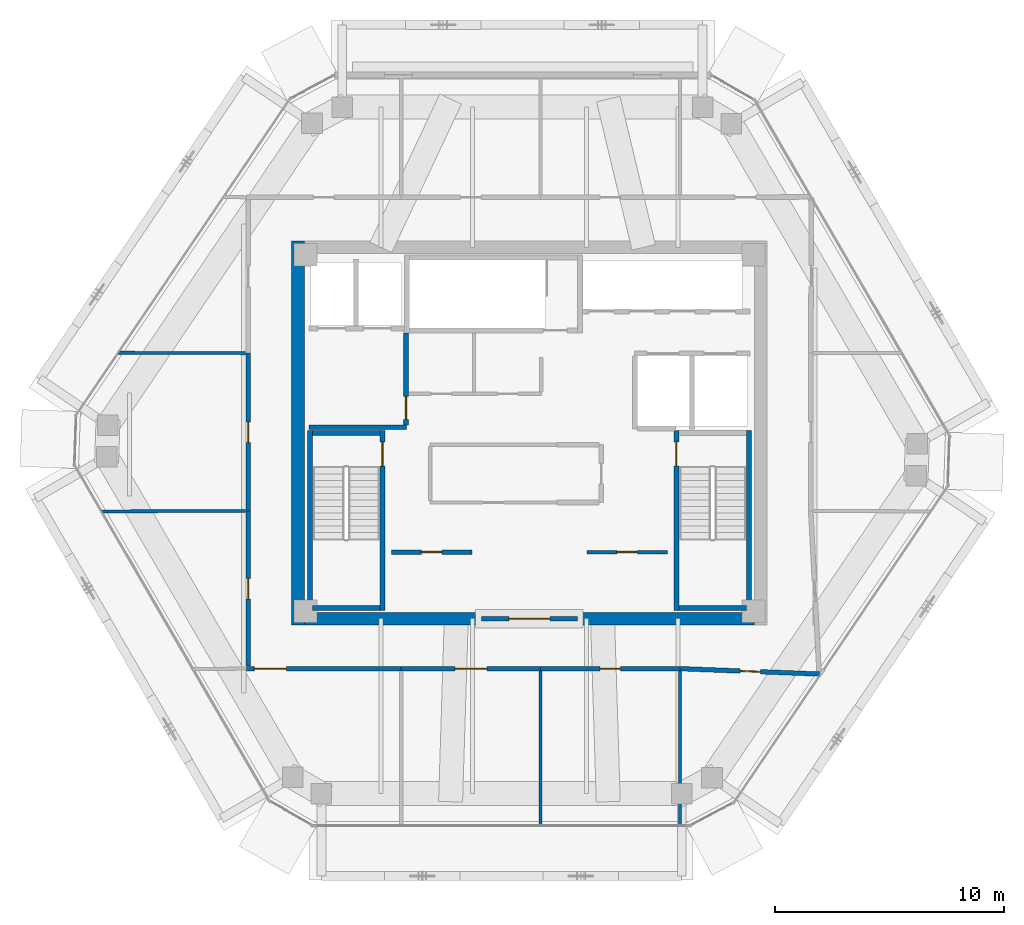
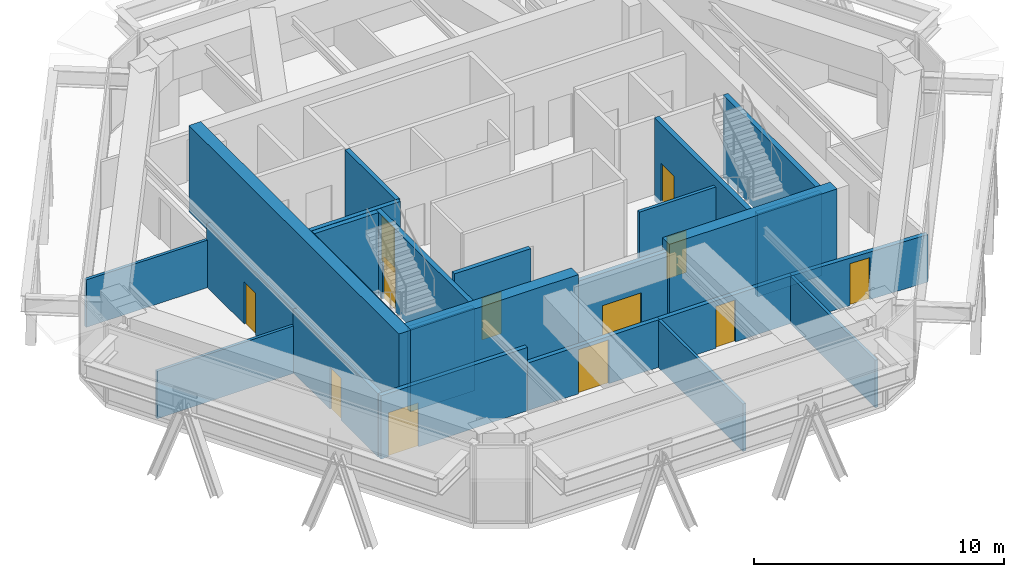
# One storey, part 10 of 13: 25 walls, 12 doors, 12 openings.
"""IFC4 building model written with IfcOpenShell, lengths in metres."""

from ifc_helpers import new_model, si_unit, direction, frame, frame_2d, origin, place, context, subcontext, project, spatial, rectangle, extrude, source, transform, mapped, material, layer, layer_set, type_object, type_shapes, element, fill, save


model = new_model("IFC4")

# Units and contexts
model_context = context("Model", 3, precision=1e-05, world=origin(), true_north=direction((0.0, 1.0)))
body_context = subcontext(model_context, "Body", "Model", "MODEL_VIEW")
ifc_project = project(units=[si_unit("LENGTHUNIT", "METRE"), si_unit("AREAUNIT", "SQUARE_METRE"), si_unit("VOLUMEUNIT", "CUBIC_METRE"), si_unit("PLANEANGLEUNIT", "RADIAN"), si_unit("MASSUNIT", "GRAM", prefix="KILO")], contexts=[model_context])

# Site, building, storey
site_placement = place(None, origin())
site = spatial("IfcSite", under=ifc_project, at=site_placement, CompositionType="ELEMENT")
building_placement = place(site_placement, origin())
building = spatial("IfcBuilding", under=site, at=building_placement, Name="Durnholm Broadcast Tower", CompositionType="ELEMENT")
storey_placement = place(building_placement, frame((0.0, 0.0, 268.300048828125)))
storey = spatial("IfcBuildingStorey", under=building, at=storey_placement, Name="L75", CompositionType="ELEMENT", Elevation=268.300048828125)

# Walls
ifc_material_1 = material(Name="Concrete C70/85", Category="concrete")
ifc_layer_1 = layer(ifc_material_1, 0.550048828125)
ifc_layer_set_1 = layer_set([ifc_layer_1], Name="Concrete C70/85")
wall_type_1 = type_object("IfcWallType", Name="WALL-CW-550", PredefinedType="SHEAR", material=ifc_layer_set_1)
wall_1_placement = place(storey_placement, frame((-10.125, -8.39990234375, 0.0), z_axis=(0.0, 0.0, 1.0), x_axis=(0.0, 1.0, 0.0)))
element("IfcWall", 1, at=wall_1_placement, inside=storey, type_object=wall_type_1, Name="L75 central core shear wall CW-WEST", PredefinedType="SHEAR", context=body_context, shape_type="SweptSolid", body=[
    extrude(rectangle(XDim=16.7998046875, YDim=0.550048828125, at=frame_2d((8.39990234375, 0.0))), origin(), (0.0, 0.0, 1.0), 4.199951171875),
])
for number, where, z_axis, x_axis, name in (
    (2, (-9.85009765625, -8.125, 0.0), (0.0, 0.0, 1.0), (1.0, 0.0, 0.0), "L75 central core shear wall CW-S1"),
    (3, (2.10009765625, -8.125, 0.0), (0.0, 0.0, 1.0), (1.0, 0.0, 0.0), "L75 central core shear wall CW-S2"),
):
    element("IfcWall", number, at=place(storey_placement, frame(where, z_axis=z_axis, x_axis=x_axis)), inside=storey, type_object=wall_type_1, Name=name, PredefinedType="SHEAR", context=body_context, shape_type="SweptSolid", body=[
        extrude(rectangle(XDim=7.75, YDim=0.550048828125, at=frame_2d((3.875, 0.0))), origin(), (0.0, 0.0, 1.0), 4.199951171875),
    ])

# Wall, opening, door
ifc_material_2 = material(Name="Fire-Rated Gypsum Shaftwall", Category="concrete")
ifc_layer_2 = layer(ifc_material_2, 0.199951171875)
ifc_layer_set_2 = layer_set([ifc_layer_2], Name="Fire-Rated Gypsum Shaftwall")
wall_type_2 = type_object("IfcWallType", Name="WALL-LOB-200", PredefinedType="SOLIDWALL", material=ifc_layer_set_2)
wall_2_placement = place(storey_placement, frame((-2.10009765625, -8.125, 0.0), z_axis=(0.0, 0.0, 1.0), x_axis=(1.0, 0.0, 0.0)))
wall_2 = element("IfcWall", 4, at=wall_2_placement, inside=storey, type_object=wall_type_2, Name="L75 south core lobby fire screen", PredefinedType="SOLIDWALL", context=body_context, shape_type="SweptSolid", body=[
    extrude(rectangle(XDim=4.2001953125, YDim=0.199951171875, at=frame_2d((2.10009765625, 0.0))), origin(), (0.0, 0.0, 1.0), 3.73486328125),
])
opening_1_placement = place(wall_2_placement, frame((1.199951171875, 0.0, 0.0)))
opening_1 = element("IfcOpeningElement", 5, at=opening_1_placement, cuts=wall_2, Name="Opening DP-60", PredefinedType="OPENING", context=body_context, shape_type="SweptSolid", body=[
    extrude(rectangle(XDim=1.800048828125, YDim=2.14990234375, at=frame_2d((0.89990234375, 1.074951171875))), frame((0.0, 0.10986328125, 0.0), z_axis=(0.0, -1.0, 0.0), x_axis=(1.0, 0.0, 0.0)), (0.0, 0.0, 1.0), 0.219970703125),
])
ifc_material_3 = material(Name="Fire-Rated Double Corridor Door", Category="steel")
ifc_layer_3 = layer(ifc_material_3, 0.050048828125)
ifc_layer_set_3 = layer_set([ifc_layer_3], Name="Fire-Rated Double Corridor Door")
door_type_1 = type_object("IfcDoorType", Name="DOOR-PAIR-FD60", OperationType="DOUBLE_DOOR_SINGLE_SWING", PredefinedType="DOOR", material=ifc_layer_set_3)
shared_shape_1 = source(origin(), body_context, "Body", "SweptSolid", [
    extrude(rectangle(XDim=1.800048828125, YDim=2.14990234375, at=frame_2d((0.89990234375, 1.074951171875))), frame((0.0, 0.02490234375, 0.0), z_axis=(0.0, -1.0, 0.0), x_axis=(1.0, 0.0, 0.0)), (0.0, 0.0, 1.0), 0.050048828125),
])
type_shapes(door_type_1, [shared_shape_1])
door_1_placement = place(opening_1_placement, origin())
door_1 = element("IfcDoor", 6, at=door_1_placement, inside=storey, type_object=door_type_1, Name="L75 south core lobby double fire door", OperationType="DOUBLE_DOOR_SINGLE_SWING", OverallHeight=2.14990234375, OverallWidth=1.800048828125, PredefinedType="DOOR", context=body_context, shape_type="MappedRepresentation", body=[
    mapped(shared_shape_1, transform((0.0, 0.0, 0.0), x_axis=(1.0, 0.0, 0.0), y_axis=(0.0, 1.0, 0.0), z_axis=(0.0, 0.0, 1.0), scale=1.0)),
])
fill(opening_1, door_1)

# Wall
wall_3_placement = place(storey_placement, frame((-9.64990234375, 0.25, 0.0), z_axis=(0.0, 0.0, 1.0), x_axis=(1.0, 0.0, 0.0)))
element("IfcWall", 7, at=wall_3_placement, inside=storey, type_object=wall_type_2, Name="L75 Fire Service Access Elevator lobby south wall", PredefinedType="SOLIDWALL", context=body_context, shape_type="SweptSolid", body=[
    extrude(rectangle(XDim=4.27001953125, YDim=0.199951171875, at=frame_2d((2.135009765625, 0.0))), origin(), (0.0, 0.0, 1.0), 3.73486328125),
])

# Wall, opening, door
wall_4_placement = place(storey_placement, frame((-5.39990234375, 0.35400390625, 0.0), z_axis=(0.0, 0.0, 1.0), x_axis=(0.0, 1.0, 0.0)))
wall_4 = element("IfcWall", 8, at=wall_4_placement, inside=storey, type_object=wall_type_2, Name="L75 Fire Service Access Elevator lobby east fire wall", PredefinedType="SOLIDWALL", context=body_context, shape_type="SweptSolid", body=[
    extrude(rectangle(XDim=4.02587890625, YDim=0.199951171875, at=frame_2d((2.012939453125, 0.0))), origin(), (0.0, 0.0, 1.0), 3.73486328125),
])
opening_2_placement = place(wall_4_placement, frame((0.24609375, 0.0, 0.0)))
opening_2 = element("IfcOpeningElement", 9, at=opening_2_placement, cuts=wall_4, Name="Opening DL-60R", PredefinedType="OPENING", context=body_context, shape_type="SweptSolid", body=[
    extrude(rectangle(XDim=1.0, YDim=2.14990234375, at=frame_2d((0.5, 1.074951171875))), frame((0.0, 0.10986328125, 0.0), z_axis=(0.0, -1.0, 0.0), x_axis=(1.0, 0.0, 0.0)), (0.0, 0.0, 1.0), 0.219970703125),
])
ifc_material_4 = material(Name="Fire-Rated Timber/Steel Door", Category="steel")
ifc_layer_4 = layer(ifc_material_4, 0.050048828125)
ifc_layer_set_4 = layer_set([ifc_layer_4], Name="Fire-Rated Timber/Steel Door")
door_type_2 = type_object("IfcDoorType", Name="DOOR-LOB-FD60-R", OperationType="NOTDEFINED", PredefinedType="DOOR", material=ifc_layer_set_4)
shared_shape_2 = source(origin(), body_context, "Body", "SweptSolid", [
    extrude(rectangle(XDim=1.0, YDim=2.14990234375, at=frame_2d((0.5, 1.074951171875))), frame((0.0, 0.02490234375, 0.0), z_axis=(0.0, -1.0, 0.0), x_axis=(1.0, 0.0, 0.0)), (0.0, 0.0, 1.0), 0.050048828125),
])
type_shapes(door_type_2, [shared_shape_2])
door_2_placement = place(opening_2_placement, origin())
door_2 = element("IfcDoor", 10, at=door_2_placement, inside=storey, type_object=door_type_2, Name="L75 Fire Service Access Elevator lobby smoke door", OperationType="SINGLE_SWING_RIGHT", OverallHeight=2.14990234375, OverallWidth=1.0, PredefinedType="DOOR", context=body_context, shape_type="MappedRepresentation", body=[
    mapped(shared_shape_2, transform((0.0, 0.0, 0.0), x_axis=(1.0, 0.0, 0.0), y_axis=(0.0, 1.0, 0.0), z_axis=(0.0, 0.0, 1.0), scale=1.0)),
])
fill(opening_2, door_2)

wall_5_placement = place(storey_placement, frame((-6.0400390625, -5.2099609375, 0.0), z_axis=(0.0, 0.0, 1.0), x_axis=(1.0, 0.0, 0.0)))
wall_5 = element("IfcWall", 11, at=wall_5_placement, inside=storey, type_object=wall_type_2, Name="L75 Broadcast Signal Rack Room corridor partition", PredefinedType="SOLIDWALL", context=body_context, shape_type="SweptSolid", body=[
    extrude(rectangle(XDim=3.530029296875, YDim=0.199951171875, at=frame_2d((1.76513671875, 0.0))), origin(), (0.0, 0.0, 1.0), 3.73486328125),
])
opening_3_placement = place(wall_5_placement, frame((1.31494140625, 0.0, 0.0)))
opening_3 = element("IfcOpeningElement", 12, at=opening_3_placement, cuts=wall_5, Name="Opening DC-60L", PredefinedType="OPENING", context=body_context, shape_type="SweptSolid", body=[
    extrude(rectangle(XDim=0.89990234375, YDim=2.050048828125, at=frame_2d((0.449951171875, 1.02490234375))), frame((0.0, 0.10986328125, 0.0), z_axis=(0.0, -1.0, 0.0), x_axis=(1.0, 0.0, 0.0)), (0.0, 0.0, 1.0), 0.219970703125),
])
ifc_material_5 = material(Name="Fire-Rated Core Service Door", Category="steel")
ifc_layer_5 = layer(ifc_material_5, 0.050048828125)
ifc_layer_set_5 = layer_set([ifc_layer_5], Name="Fire-Rated Core Service Door")
door_type_3 = type_object("IfcDoorType", Name="DOOR-CORE-FD60-L", OperationType="NOTDEFINED", PredefinedType="DOOR", material=ifc_layer_set_5)
shared_shape_3 = source(origin(), body_context, "Body", "SweptSolid", [
    extrude(rectangle(XDim=0.89990234375, YDim=2.050048828125, at=frame_2d((0.449951171875, 1.02490234375))), frame((0.0, 0.02490234375, 0.0), z_axis=(0.0, -1.0, 0.0), x_axis=(1.0, 0.0, 0.0)), (0.0, 0.0, 1.0), 0.050048828125),
])
type_shapes(door_type_3, [shared_shape_3])
door_3_placement = place(opening_3_placement, origin())
door_3 = element("IfcDoor", 13, at=door_3_placement, inside=storey, type_object=door_type_3, Name="L75 Broadcast Signal Rack Room entrance door", OperationType="SINGLE_SWING_LEFT", OverallHeight=2.050048828125, OverallWidth=0.89990234375, PredefinedType="DOOR", context=body_context, shape_type="MappedRepresentation", body=[
    mapped(shared_shape_3, transform((0.0, 0.0, 0.0), x_axis=(1.0, 0.0, 0.0), y_axis=(0.0, 1.0, 0.0), z_axis=(0.0, 0.0, 1.0), scale=1.0)),
])
fill(opening_3, door_3)

wall_6_placement = place(storey_placement, frame((-12.389892578125, -10.31005859375, 0.0), z_axis=(0.0, 0.0, 1.0), x_axis=(1.0, 0.0, 0.0)))
wall_6 = element("IfcWall", 14, at=wall_6_placement, inside=storey, type_object=wall_type_2, Name="L75 L75 West Pressurized Refuge Area corridor partition", PredefinedType="SOLIDWALL", context=body_context, shape_type="SweptSolid", body=[
    extrude(rectangle(XDim=6.77978515625, YDim=0.199951171875, at=frame_2d((3.389892578125, 0.0))), origin(), (0.0, 0.0, 1.0), 3.09326171875),
])
opening_4_placement = place(wall_6_placement, frame((0.35009765625, 0.0, 0.0)))
opening_4 = element("IfcOpeningElement", 15, at=opening_4_placement, cuts=wall_6, Name="Opening DPL-140", PredefinedType="OPENING", context=body_context, shape_type="SweptSolid", body=[
    extrude(rectangle(XDim=1.39990234375, YDim=2.14990234375, at=frame_2d((0.699951171875, 1.074951171875))), frame((0.0, 0.10986328125, 0.0), z_axis=(0.0, -1.0, 0.0), x_axis=(1.0, 0.0, 0.0)), (0.0, 0.0, 1.0), 0.219970703125),
])
ifc_material_6 = material(Name="Fire-Rated Mechanical Plant Double Door", Category="steel")
ifc_layer_6 = layer(ifc_material_6, 0.050048828125)
ifc_layer_set_6 = layer_set([ifc_layer_6], Name="Fire-Rated Mechanical Plant Double Door")
door_type_4 = type_object("IfcDoorType", Name="DOOR-PLNT-1400", OperationType="DOUBLE_DOOR_SINGLE_SWING", PredefinedType="DOOR", material=ifc_layer_set_6)
shared_shape_4 = source(origin(), body_context, "Body", "SweptSolid", [
    extrude(rectangle(XDim=1.39990234375, YDim=2.14990234375, at=frame_2d((0.699951171875, 1.074951171875))), frame((0.0, 0.02490234375, 0.0), z_axis=(0.0, -1.0, 0.0), x_axis=(1.0, 0.0, 0.0)), (0.0, 0.0, 1.0), 0.050048828125),
])
type_shapes(door_type_4, [shared_shape_4])
door_4_placement = place(opening_4_placement, origin())
door_4 = element("IfcDoor", 16, at=door_4_placement, inside=storey, type_object=door_type_4, Name="L75 L75 West Pressurized Refuge Area entrance door", OperationType="DOUBLE_DOOR_SINGLE_SWING", OverallHeight=2.14990234375, OverallWidth=1.39990234375, PredefinedType="DOOR", context=body_context, shape_type="MappedRepresentation", body=[
    mapped(shared_shape_4, transform((0.0, 0.0, 0.0), x_axis=(1.0, 0.0, 0.0), y_axis=(0.0, 1.0, 0.0), z_axis=(0.0, 0.0, 1.0), scale=1.0)),
])
fill(opening_4, door_4)

wall_7_placement = place(storey_placement, frame((-5.610107421875, -10.31005859375, 0.0), z_axis=(0.0, 0.0, 1.0), x_axis=(1.0, 0.0, 0.0)))
wall_7 = element("IfcWall", 17, at=wall_7_placement, inside=storey, type_object=wall_type_2, Name="L75 L75 South Pressurized Refuge Area corridor partition", PredefinedType="SOLIDWALL", context=body_context, shape_type="SweptSolid", body=[
    extrude(rectangle(XDim=6.10009765625, YDim=0.199951171875, at=frame_2d((3.050048828125, 0.0))), origin(), (0.0, 0.0, 1.0), 2.320068359375),
])
opening_5_placement = place(wall_7_placement, frame((2.35009765625, 0.0, 0.0)))
opening_5 = element("IfcOpeningElement", 18, at=opening_5_placement, cuts=wall_7, Name="Opening DPL-140", PredefinedType="OPENING", context=body_context, shape_type="SweptSolid", body=[
    extrude(rectangle(XDim=1.39990234375, YDim=2.14990234375, at=frame_2d((0.699951171875, 1.074951171875))), frame((0.0, 0.10986328125, 0.0), z_axis=(0.0, -1.0, 0.0), x_axis=(1.0, 0.0, 0.0)), (0.0, 0.0, 1.0), 0.219970703125),
])
door_5_placement = place(opening_5_placement, origin())
door_5 = element("IfcDoor", 19, at=door_5_placement, inside=storey, type_object=door_type_4, Name="L75 L75 South Pressurized Refuge Area entrance door", OperationType="DOUBLE_DOOR_SINGLE_SWING", OverallHeight=2.14990234375, OverallWidth=1.39990234375, PredefinedType="DOOR", context=body_context, shape_type="MappedRepresentation", body=[
    mapped(shared_shape_4, transform((0.0, 0.0, 0.0), x_axis=(1.0, 0.0, 0.0), y_axis=(0.0, 1.0, 0.0), z_axis=(0.0, 0.0, 1.0), scale=1.0)),
])
fill(opening_5, door_5)

wall_8_placement = place(storey_placement, frame((0.489990234375, -10.31005859375, 0.0), z_axis=(0.0, 0.0, 1.0), x_axis=(1.0, 0.0, 0.0)))
wall_8 = element("IfcWall", 20, at=wall_8_placement, inside=storey, type_object=wall_type_2, Name="L75 Mechanical Plant Room - Domestic Water Booster Tank corridor partition", PredefinedType="SOLIDWALL", context=body_context, shape_type="SweptSolid", body=[
    extrude(rectangle(XDim=6.10009765625, YDim=0.199951171875, at=frame_2d((3.050048828125, 0.0))), origin(), (0.0, 0.0, 1.0), 2.320068359375),
])
opening_6_placement = place(wall_8_placement, frame((2.60009765625, 0.0, 0.0)))
opening_6 = element("IfcOpeningElement", 21, at=opening_6_placement, cuts=wall_8, Name="Opening DC-60L", PredefinedType="OPENING", context=body_context, shape_type="SweptSolid", body=[
    extrude(rectangle(XDim=0.89990234375, YDim=2.050048828125, at=frame_2d((0.449951171875, 1.02490234375))), frame((0.0, 0.10986328125, 0.0), z_axis=(0.0, -1.0, 0.0), x_axis=(1.0, 0.0, 0.0)), (0.0, 0.0, 1.0), 0.219970703125),
])
door_6_placement = place(opening_6_placement, origin())
door_6 = element("IfcDoor", 22, at=door_6_placement, inside=storey, type_object=door_type_3, Name="L75 Mechanical Plant Room - Domestic Water Booster Tank entrance door", OperationType="SINGLE_SWING_LEFT", OverallHeight=2.050048828125, OverallWidth=0.89990234375, PredefinedType="DOOR", context=body_context, shape_type="MappedRepresentation", body=[
    mapped(shared_shape_3, transform((0.0, 0.0, 0.0), x_axis=(1.0, 0.0, 0.0), y_axis=(0.0, 1.0, 0.0), z_axis=(0.0, 0.0, 1.0), scale=1.0)),
])
fill(opening_6, door_6)

wall_9_placement = place(storey_placement, frame((6.590087890625, -10.31298828125, 0.0), z_axis=(0.0, 0.0, 1.0), x_axis=(0.999261994152, -0.038411808645, 0.0)))
wall_9 = element("IfcWall", 23, at=wall_9_placement, inside=storey, type_object=wall_type_2, Name="L75 Mechanical Plant Room - Fire Protection Pump Plant corridor partition", PredefinedType="SOLIDWALL", context=body_context, shape_type="SweptSolid", body=[
    extrude(rectangle(XDim=6.158935546875, YDim=0.199951171875, at=frame_2d((3.07958984375, 0.0))), origin(), (0.0, 0.0, 1.0), 2.320068359375),
])
opening_7_placement = place(wall_9_placement, frame((2.62939453125, 0.0, 0.0)))
opening_7 = element("IfcOpeningElement", 24, at=opening_7_placement, cuts=wall_9, Name="Opening DC-60R", PredefinedType="OPENING", context=body_context, shape_type="SweptSolid", body=[
    extrude(rectangle(XDim=0.89990234375, YDim=2.050048828125, at=frame_2d((0.449951171875, 1.02490234375))), frame((0.0, 0.10986328125, 0.0), z_axis=(0.0, -1.0, 0.0), x_axis=(1.0, 0.0, 0.0)), (0.0, 0.0, 1.0), 0.219970703125),
])
ifc_layer_7 = layer(ifc_material_5, 0.050048828125)
ifc_layer_set_7 = layer_set([ifc_layer_7], Name="Fire-Rated Core Service Door")
door_type_5 = type_object("IfcDoorType", Name="DOOR-CORE-FD60-R", OperationType="NOTDEFINED", PredefinedType="DOOR", material=ifc_layer_set_7)
shared_shape_5 = source(origin(), body_context, "Body", "SweptSolid", [
    extrude(rectangle(XDim=0.89990234375, YDim=2.050048828125, at=frame_2d((0.449951171875, 1.02490234375))), frame((0.0, 0.02490234375, 0.0), z_axis=(0.0, -1.0, 0.0), x_axis=(1.0, 0.0, 0.0)), (0.0, 0.0, 1.0), 0.050048828125),
])
type_shapes(door_type_5, [shared_shape_5])
door_7_placement = place(opening_7_placement, origin())
door_7 = element("IfcDoor", 25, at=door_7_placement, inside=storey, type_object=door_type_5, Name="L75 Mechanical Plant Room - Fire Protection Pump Plant entrance door", OperationType="SINGLE_SWING_RIGHT", OverallHeight=2.050048828125, OverallWidth=0.89990234375, PredefinedType="DOOR", context=body_context, shape_type="MappedRepresentation", body=[
    mapped(shared_shape_5, transform((0.0, 0.0, 0.0), x_axis=(1.0, 0.0, 0.0), y_axis=(0.0, 1.0, 0.0), z_axis=(0.0, 0.0, 1.0), scale=1.0)),
])
fill(opening_7, door_7)

wall_10_placement = place(storey_placement, frame((-12.31005859375, -3.409912109375, 0.0), z_axis=(0.0, 0.0, 1.0), x_axis=(0.0, -1.0, 0.0)))
wall_10 = element("IfcWall", 26, at=wall_10_placement, inside=storey, type_object=wall_type_2, Name="L75 Mechanical Plant Room - Electrical Switchgear West corridor partition", PredefinedType="SOLIDWALL", context=body_context, shape_type="SweptSolid", body=[
    extrude(rectangle(XDim=6.796142578125, YDim=0.199951171875, at=frame_2d((3.39794921875, 0.0))), origin(), (0.0, 0.0, 1.0), 3.09326171875),
])
opening_8_placement = place(wall_10_placement, frame((2.947998046875, 0.0, 0.0)))
opening_8 = element("IfcOpeningElement", 27, at=opening_8_placement, cuts=wall_10, Name="Opening DC-60R", PredefinedType="OPENING", context=body_context, shape_type="SweptSolid", body=[
    extrude(rectangle(XDim=0.89990234375, YDim=2.050048828125, at=frame_2d((0.449951171875, 1.02490234375))), frame((0.0, 0.10986328125, 0.0), z_axis=(0.0, -1.0, 0.0), x_axis=(1.0, 0.0, 0.0)), (0.0, 0.0, 1.0), 0.219970703125),
])
door_8_placement = place(opening_8_placement, origin())
door_8 = element("IfcDoor", 28, at=door_8_placement, inside=storey, type_object=door_type_5, Name="L75 Mechanical Plant Room - Electrical Switchgear West entrance door", OperationType="SINGLE_SWING_RIGHT", OverallHeight=2.050048828125, OverallWidth=0.89990234375, PredefinedType="DOOR", context=body_context, shape_type="MappedRepresentation", body=[
    mapped(shared_shape_5, transform((0.0, 0.0, 0.0), x_axis=(1.0, 0.0, 0.0), y_axis=(0.0, 1.0, 0.0), z_axis=(0.0, 0.0, 1.0), scale=1.0)),
])
fill(opening_8, door_8)

wall_11_placement = place(storey_placement, frame((-12.31005859375, 3.489990234375, 0.0), z_axis=(0.0, 0.0, 1.0), x_axis=(0.0, -1.0, 0.0)))
wall_11 = element("IfcWall", 29, at=wall_11_placement, inside=storey, type_object=wall_type_2, Name="L75 Mechanical Plant Room - Stairwell Pressurization Fan corridor partition", PredefinedType="SOLIDWALL", context=body_context, shape_type="SweptSolid", body=[
    extrude(rectangle(XDim=6.89990234375, YDim=0.199951171875, at=frame_2d((3.449951171875, 0.0))), origin(), (0.0, 0.0, 1.0), 3.09326171875),
])
opening_9_placement = place(wall_11_placement, frame((3.0, 0.0, 0.0)))
opening_9 = element("IfcOpeningElement", 30, at=opening_9_placement, cuts=wall_11, Name="Opening DC-60L", PredefinedType="OPENING", context=body_context, shape_type="SweptSolid", body=[
    extrude(rectangle(XDim=0.89990234375, YDim=2.050048828125, at=frame_2d((0.449951171875, 1.02490234375))), frame((0.0, 0.10986328125, 0.0), z_axis=(0.0, -1.0, 0.0), x_axis=(1.0, 0.0, 0.0)), (0.0, 0.0, 1.0), 0.219970703125),
])
door_9_placement = place(opening_9_placement, origin())
door_9 = element("IfcDoor", 31, at=door_9_placement, inside=storey, type_object=door_type_3, Name="L75 Mechanical Plant Room - Stairwell Pressurization Fan entrance door", OperationType="SINGLE_SWING_LEFT", OverallHeight=2.050048828125, OverallWidth=0.89990234375, PredefinedType="DOOR", context=body_context, shape_type="MappedRepresentation", body=[
    mapped(shared_shape_3, transform((0.0, 0.0, 0.0), x_axis=(1.0, 0.0, 0.0), y_axis=(0.0, 1.0, 0.0), z_axis=(0.0, 0.0, 1.0), scale=1.0)),
])
fill(opening_9, door_9)

# Walls
ifc_material_7 = material(Name="Gypsum Metal Stud Partition", Category="concrete")
ifc_layer_8 = layer(ifc_material_7, 0.135009765625)
ifc_layer_set_8 = layer_set([ifc_layer_8], Name="Gypsum Metal Stud Partition")
wall_type_3 = type_object("IfcWallType", Name="WALL-PART-135", PredefinedType="PARTITIONING", material=ifc_layer_set_8)
wall_12_placement = place(storey_placement, frame((0.489990234375, -10.4140625, 0.0), z_axis=(0.0, 0.0, 1.0), x_axis=(0.0, -1.0, 0.0)))
element("IfcWall", 32, at=wall_12_placement, inside=storey, type_object=wall_type_3, Name="L75 room dividing partition 12.13", PredefinedType="PARTITIONING", context=body_context, shape_type="SweptSolid", body=[
    extrude(rectangle(XDim=6.77197265625, YDim=0.135009765625, at=frame_2d((3.385986328125, 0.0))), origin(), (0.0, 0.0, 1.0), 2.320068359375),
])
wall_13_placement = place(storey_placement, frame((6.590087890625, -10.417236328125, 0.0), z_axis=(0.0, 0.0, 1.0), x_axis=(0.0, -1.0, 0.0)))
element("IfcWall", 33, at=wall_13_placement, inside=storey, type_object=wall_type_3, Name="L75 room dividing partition 13.14", PredefinedType="PARTITIONING", context=body_context, shape_type="SweptSolid", body=[
    extrude(rectangle(XDim=6.768798828125, YDim=0.135009765625, at=frame_2d((3.38427734375, 0.0))), origin(), (0.0, 0.0, 1.0), 2.320068359375),
])
wall_14_placement = place(storey_placement, frame((-18.73046875, -3.43017578125, 0.0), z_axis=(0.0, 0.0, 1.0), x_axis=(0.999995099089, 0.00313078243, 0.0)))
element("IfcWall", 34, at=wall_14_placement, inside=storey, type_object=wall_type_3, Name="L75 room dividing partition 18.19", PredefinedType="PARTITIONING", context=body_context, shape_type="SweptSolid", body=[
    extrude(rectangle(XDim=6.31640625, YDim=0.135009765625, at=frame_2d((3.158203125, 0.0))), origin(), (0.0, 0.0, 1.0), 2.320068359375),
])
wall_15_placement = place(storey_placement, frame((-17.99560546875, 3.512451171875, 0.0), z_axis=(0.0, 0.0, 1.0), x_axis=(0.99999225143, -0.003936632956, 0.0)))
element("IfcWall", 35, at=wall_15_placement, inside=storey, type_object=wall_type_3, Name="L75 room dividing partition 19.20", PredefinedType="PARTITIONING", context=body_context, shape_type="SweptSolid", body=[
    extrude(rectangle(XDim=5.58154296875, YDim=0.135009765625, at=frame_2d((2.790771484375, 0.0))), origin(), (0.0, 0.0, 1.0), 2.320068359375),
])

# Wall, opening, door
ifc_material_8 = material(Name="Acoustic Gypsum Stud Partition", Category="concrete")
ifc_layer_9 = layer(ifc_material_8, 0.14990234375)
ifc_layer_set_9 = layer_set([ifc_layer_9], Name="Acoustic Gypsum Stud Partition")
wall_type_4 = type_object("IfcWallType", Name="WALL-PART-150", PredefinedType="PARTITIONING", material=ifc_layer_set_9)
wall_16_placement = place(storey_placement, frame((2.510009765625, -5.2099609375, 0.0), z_axis=(0.0, 0.0, 1.0), x_axis=(1.0, 0.0, 0.0)))
wall_16 = element("IfcWall", 36, at=wall_16_placement, inside=storey, type_object=wall_type_4, Name="L75 Editorial Beverage Pantry corridor partition", PredefinedType="PARTITIONING", context=body_context, shape_type="SweptSolid", body=[
    extrude(rectangle(XDim=3.530029296875, YDim=0.14990234375, at=frame_2d((1.76513671875, 0.0))), origin(), (0.0, 0.0, 1.0), 3.73486328125),
])
opening_10_placement = place(wall_16_placement, frame((1.31494140625, 0.0, 0.0)))
opening_10 = element("IfcOpeningElement", 37, at=opening_10_placement, cuts=wall_16, Name="Opening DC-60R", PredefinedType="OPENING", context=body_context, shape_type="SweptSolid", body=[
    extrude(rectangle(XDim=0.89990234375, YDim=2.050048828125, at=frame_2d((0.449951171875, 1.02490234375))), frame((0.0, 0.0849609375, 0.0), z_axis=(0.0, -1.0, 0.0), x_axis=(1.0, 0.0, 0.0)), (0.0, 0.0, 1.0), 0.169921875),
])
door_10_placement = place(opening_10_placement, origin())
door_10 = element("IfcDoor", 38, at=door_10_placement, inside=storey, type_object=door_type_5, Name="L75 Editorial Beverage Pantry entrance door", OperationType="SINGLE_SWING_RIGHT", OverallHeight=2.050048828125, OverallWidth=0.89990234375, PredefinedType="DOOR", context=body_context, shape_type="MappedRepresentation", body=[
    mapped(shared_shape_5, transform((0.0, 0.0, 0.0), x_axis=(1.0, 0.0, 0.0), y_axis=(0.0, 1.0, 0.0), z_axis=(0.0, 0.0, 1.0), scale=1.0)),
])
fill(opening_10, door_10)

ifc_material_9 = material(Name="Concrete C50/60", Category="concrete")
ifc_layer_10 = layer(ifc_material_9, 0.219970703125)
ifc_layer_set_10 = layer_set([ifc_layer_10], Name="Concrete C50/60")
wall_type_5 = type_object("IfcWallType", Name="WALL-SW-220", PredefinedType="SHEAR", material=ifc_layer_set_10)
wall_17_placement = place(storey_placement, frame((-6.429931640625, -7.77001953125, -0.300048828125), z_axis=(0.0, 0.0, 1.0), x_axis=(0.0, 1.0, 0.0)))
wall_17 = element("IfcWall", 39, at=wall_17_placement, inside=storey, type_object=wall_type_5, Name="L75 stair ST-1 structural shaft wall E", PredefinedType="SHEAR", context=body_context, shape_type="SweptSolid", body=[
    extrude(rectangle(XDim=7.89013671875, YDim=0.219970703125, at=frame_2d((3.945068359375, 0.0))), origin(), (0.0, 0.0, 1.0), 4.050048828125),
])
opening_11_placement = place(wall_17_placement, frame((6.320068359375, 0.0, 0.0)))
opening_11 = element("IfcOpeningElement", 40, at=opening_11_placement, cuts=wall_17, Name="Opening DS-90L", PredefinedType="OPENING", context=body_context, shape_type="SweptSolid", body=[
    extrude(rectangle(XDim=1.050048828125, YDim=2.14990234375, at=frame_2d((0.52490234375, 1.074951171875))), frame((0.0, 0.1201171875, 0.0), z_axis=(0.0, -1.0, 0.0), x_axis=(1.0, 0.0, 0.0)), (0.0, 0.0, 1.0), 0.239990234375),
])
ifc_material_10 = material(Name="Fire-Rated Steel Door", Category="steel")
ifc_layer_11 = layer(ifc_material_10, 0.050048828125)
ifc_layer_set_11 = layer_set([ifc_layer_11], Name="Fire-Rated Steel Door")
door_type_6 = type_object("IfcDoorType", Name="DOOR-ST-FD90-L", OperationType="NOTDEFINED", PredefinedType="DOOR", material=ifc_layer_set_11)
shared_shape_6 = source(origin(), body_context, "Body", "SweptSolid", [
    extrude(rectangle(XDim=1.050048828125, YDim=2.14990234375, at=frame_2d((0.52490234375, 1.074951171875))), frame((0.0, 0.02490234375, 0.0), z_axis=(0.0, -1.0, 0.0), x_axis=(1.0, 0.0, 0.0)), (0.0, 0.0, 1.0), 0.050048828125),
])
type_shapes(door_type_6, [shared_shape_6])
door_11_placement = place(opening_11_placement, origin())
door_11 = element("IfcDoor", 41, at=door_11_placement, inside=storey, type_object=door_type_6, Name="L75 exit stair ST-1 fire door", OperationType="SINGLE_SWING_LEFT", OverallHeight=2.14990234375, OverallWidth=1.050048828125, PredefinedType="DOOR", context=body_context, shape_type="MappedRepresentation", body=[
    mapped(shared_shape_6, transform((0.0, 0.0, 0.0), x_axis=(1.0, 0.0, 0.0), y_axis=(0.0, 1.0, 0.0), z_axis=(0.0, 0.0, 1.0), scale=1.0)),
])
fill(opening_11, door_11)

# Walls
wall_18_placement = place(storey_placement, frame((-9.610107421875, 0.1201171875, -0.300048828125), z_axis=(0.0, 0.0, 1.0), x_axis=(0.0, -1.0, 0.0)))
element("IfcWall", 42, at=wall_18_placement, inside=storey, type_object=wall_type_5, Name="L75 stair ST-1 structural shaft wall W", PredefinedType="SHEAR", context=body_context, shape_type="SweptSolid", body=[
    extrude(rectangle(XDim=7.89013671875, YDim=0.219970703125, at=frame_2d((3.945068359375, 0.0))), origin(), (0.0, 0.0, 1.0), 4.050048828125),
])
for number, where, z_axis, x_axis, name in (
    (43, (-9.5, -7.659912109375, -0.300048828125), (0.0, 0.0, 1.0), (1.0, 0.0, 0.0), "L75 stair ST-1 structural shaft wall S"),
    (44, (-6.5400390625, 0.010009765625, -0.300048828125), (0.0, 0.0, 1.0), (-1.0, 0.0, 0.0), "L75 stair ST-1 structural shaft wall N"),
):
    element("IfcWall", number, at=place(storey_placement, frame(where, z_axis=z_axis, x_axis=x_axis)), inside=storey, type_object=wall_type_5, Name=name, PredefinedType="SHEAR", context=body_context, shape_type="SweptSolid", body=[
        extrude(rectangle(XDim=2.9599609375, YDim=0.219970703125, at=frame_2d((1.47998046875, 0.0))), origin(), (0.0, 0.0, 1.0), 4.050048828125),
    ])
wall_19_placement = place(storey_placement, frame((9.610107421875, -7.77001953125, -0.300048828125), z_axis=(0.0, 0.0, 1.0), x_axis=(0.0, 1.0, 0.0)))
element("IfcWall", 45, at=wall_19_placement, inside=storey, type_object=wall_type_5, Name="L75 stair ST-2 structural shaft wall E", PredefinedType="SHEAR", context=body_context, shape_type="SweptSolid", body=[
    extrude(rectangle(XDim=7.89013671875, YDim=0.219970703125, at=frame_2d((3.945068359375, 0.0))), origin(), (0.0, 0.0, 1.0), 4.050048828125),
])

# Wall, opening, door
wall_20_placement = place(storey_placement, frame((6.429931640625, 0.1201171875, -0.300048828125), z_axis=(0.0, 0.0, 1.0), x_axis=(0.0, -1.0, 0.0)))
wall_20 = element("IfcWall", 46, at=wall_20_placement, inside=storey, type_object=wall_type_5, Name="L75 stair ST-2 structural shaft wall W", PredefinedType="SHEAR", context=body_context, shape_type="SweptSolid", body=[
    extrude(rectangle(XDim=7.89013671875, YDim=0.219970703125, at=frame_2d((3.945068359375, 0.0))), origin(), (0.0, 0.0, 1.0), 4.050048828125),
])
opening_12_placement = place(wall_20_placement, frame((0.52001953125, 0.0, 0.0)))
opening_12 = element("IfcOpeningElement", 47, at=opening_12_placement, cuts=wall_20, Name="Opening DS-90R", PredefinedType="OPENING", context=body_context, shape_type="SweptSolid", body=[
    extrude(rectangle(XDim=1.050048828125, YDim=2.14990234375, at=frame_2d((0.52490234375, 1.074951171875))), frame((0.0, 0.1201171875, 0.0), z_axis=(0.0, -1.0, 0.0), x_axis=(1.0, 0.0, 0.0)), (0.0, 0.0, 1.0), 0.239990234375),
])
ifc_layer_12 = layer(ifc_material_10, 0.050048828125)
ifc_layer_set_12 = layer_set([ifc_layer_12], Name="Fire-Rated Steel Door")
door_type_7 = type_object("IfcDoorType", Name="DOOR-ST-FD90-R", OperationType="NOTDEFINED", PredefinedType="DOOR", material=ifc_layer_set_12)
shared_shape_7 = source(origin(), body_context, "Body", "SweptSolid", [
    extrude(rectangle(XDim=1.050048828125, YDim=2.14990234375, at=frame_2d((0.52490234375, 1.074951171875))), frame((0.0, 0.02490234375, 0.0), z_axis=(0.0, -1.0, 0.0), x_axis=(1.0, 0.0, 0.0)), (0.0, 0.0, 1.0), 0.050048828125),
])
type_shapes(door_type_7, [shared_shape_7])
door_12_placement = place(opening_12_placement, origin())
door_12 = element("IfcDoor", 48, at=door_12_placement, inside=storey, type_object=door_type_7, Name="L75 exit stair ST-2 fire door", OperationType="SINGLE_SWING_RIGHT", OverallHeight=2.14990234375, OverallWidth=1.050048828125, PredefinedType="DOOR", context=body_context, shape_type="MappedRepresentation", body=[
    mapped(shared_shape_7, transform((0.0, 0.0, 0.0), x_axis=(1.0, 0.0, 0.0), y_axis=(0.0, 1.0, 0.0), z_axis=(0.0, 0.0, 1.0), scale=1.0)),
])
fill(opening_12, door_12)

# Wall
wall_21_placement = place(storey_placement, frame((6.5400390625, -7.659912109375, -0.300048828125), z_axis=(0.0, 0.0, 1.0), x_axis=(1.0, 0.0, 0.0)))
element("IfcWall", 49, at=wall_21_placement, inside=storey, type_object=wall_type_5, Name="L75 stair ST-2 structural shaft wall S", PredefinedType="SHEAR", context=body_context, shape_type="SweptSolid", body=[
    extrude(rectangle(XDim=2.9599609375, YDim=0.219970703125, at=frame_2d((1.47998046875, 0.0))), origin(), (0.0, 0.0, 1.0), 4.050048828125),
])

save(model, "model.ifc")
